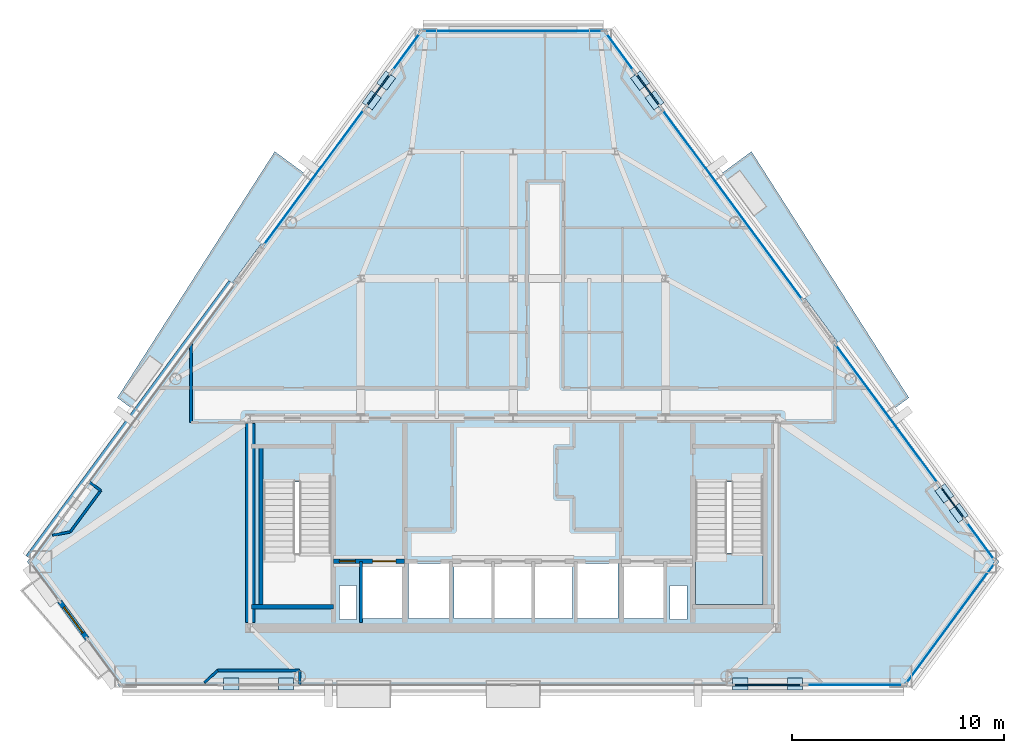
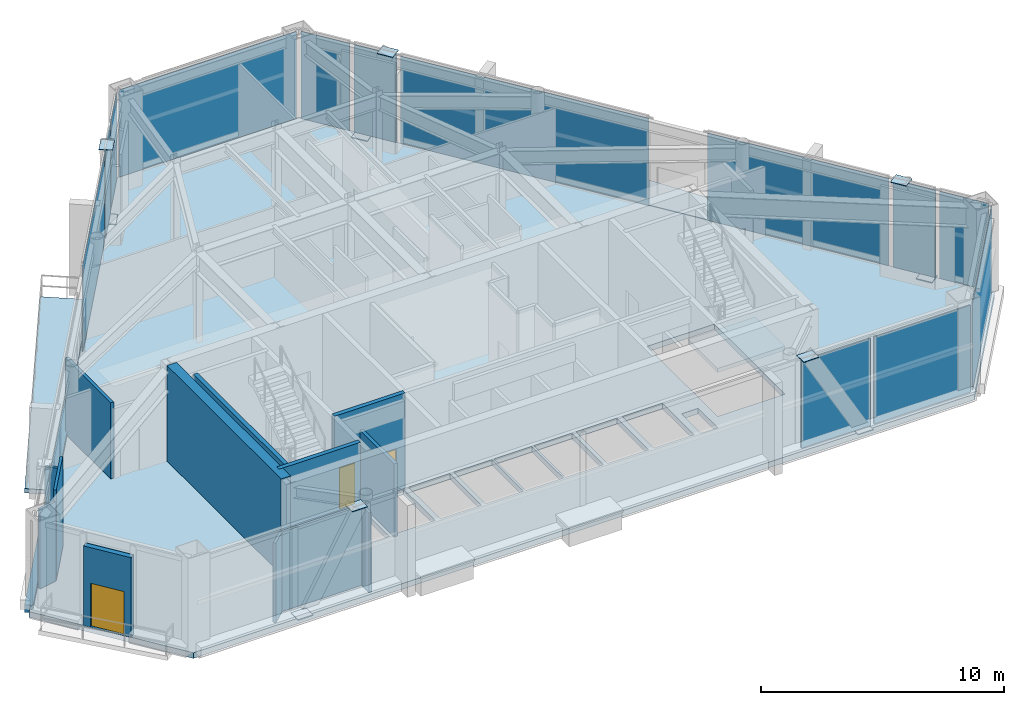
# One storey, part 5 of 10: 23 plates, 14 walls, 4 slabs, 3 doors, 3 openings, 14 elements without a shape of their own.
"""IFC4 building model written with IfcOpenShell, lengths in metres."""

from ifc_helpers import new_model, si_unit, direction, frame, frame_2d, origin, origin_2d, place, context, subcontext, project, spatial, polyline, rectangle, outline, extrude, source, transform, mapped, material, layer, layer_set, type_object, type_shapes, element, fill, aggregate, save


model = new_model("IFC4")

# Units and contexts
model_context = context("Model", 3, precision=1e-05, world=origin(), true_north=direction((0.0, 1.0)))
body_context = subcontext(model_context, "Body", "Model", "MODEL_VIEW")
ifc_project = project(units=[si_unit("LENGTHUNIT", "METRE"), si_unit("AREAUNIT", "SQUARE_METRE"), si_unit("VOLUMEUNIT", "CUBIC_METRE"), si_unit("PLANEANGLEUNIT", "RADIAN"), si_unit("MASSUNIT", "GRAM", prefix="KILO")], contexts=[model_context])

# Site, building, storey
site_placement = place(None, origin())
site = spatial("IfcSite", under=ifc_project, at=site_placement, CompositionType="ELEMENT")
building_placement = place(site_placement, origin())
building = spatial("IfcBuilding", under=site, at=building_placement, Name="Talgorran Terracotta Tower", CompositionType="ELEMENT")
storey_placement = place(building_placement, frame((0.0, 0.0, 173.699951171875)))
storey = spatial("IfcBuildingStorey", under=building, at=storey_placement, Name="L45", CompositionType="ELEMENT", Elevation=173.699951171875)

# Plates
ifc_material_1 = material(Name="Steel Grade 350 (350L0)", Category="steel")
ifc_layer_1 = layer(ifc_material_1, 0.031982421875, Name="PL_CAP_MN07")
ifc_layer_set_1 = layer_set([ifc_layer_1], Name="Steel Grade 350 (350L0)")
plate_type_1 = type_object("IfcPlateType", Name="PL_CAP_MN07", PredefinedType="USERDEFINED", material=ifc_layer_set_1)
for number, where, z_axis, x_axis, name in (
    (1, (-13.307373046875, -16.74560546875, -0.005859375), (0.0, 0.0, 1.0), (1.0, 0.0, 0.0), "L45 Diagonal Frame End Cap SWF Bot"),
    (2, (-10.719970703125, -16.74560546875, 4.52392578125), (0.0, 0.0, 1.0), (1.0, 0.0, 0.0), "L45 Diagonal Frame End Cap SWF Top"),
    (3, (13.307373046875, -16.74560546875, -0.005859375), (0.0, 0.0, 1.0), (-1.0, 0.0, 0.0), "L45 Diagonal Frame End Cap SEF Bot"),
    (4, (10.719970703125, -16.74560546875, 4.52392578125), (0.0, 0.0, 1.0), (-1.0, 0.0, 0.0), "L45 Diagonal Frame End Cap SEF Top"),
    (5, (21.044189453125, -8.6689453125, -0.005859375), (0.0, 0.0, 1.0), (-0.593418886604, 0.804893797356, 0.0), "L45 Diagonal Frame End Cap NEL Bot"),
    (6, (20.36181640625, -7.743408203125, 4.52392578125), (0.0, 0.0, 1.0), (-0.593418886604, 0.804893797356, 0.0), "L45 Diagonal Frame End Cap NEL Top"),
    (7, (5.992919921875, 11.7421875, -0.005859375), (0.0, 0.0, 1.0), (0.593418886604, -0.804893797356, 0.0), "L45 Diagonal Frame End Cap NEU Bot"),
    (8, (6.67529296875, 10.81689453125, 4.52392578125), (0.0, 0.0, 1.0), (0.593418886604, -0.804893797356, 0.0), "L45 Diagonal Frame End Cap NEU Top"),
    (9, (-5.992919921875, 11.7421875, -0.005859375), (0.0, 0.0, 1.0), (-0.593418886604, -0.804893797356, 0.0), "L45 Diagonal Frame End Cap NWU Bot"),
    (10, (-6.67529296875, 10.81689453125, 4.52392578125), (0.0, 0.0, 1.0), (-0.593418886604, -0.804893797356, 0.0), "L45 Diagonal Frame End Cap NWU Top"),
):
    element("IfcPlate", number, at=place(storey_placement, frame(where, z_axis=z_axis, x_axis=x_axis)), inside=storey, type_object=plate_type_1, Name=name, ObjectType="CAP PLATE", PredefinedType="USERDEFINED", context=body_context, shape_type="SweptSolid", body=[
        extrude(rectangle(XDim=0.719970703125, YDim=0.580078125, at=origin_2d()), origin(), (0.0, 0.0, 1.0), 0.031982421875),
    ])

# Slabs
ifc_material_2 = material(Name="Concrete C40/50", Category="concrete")
ifc_layer_2 = layer(ifc_material_2, 0.219970703125, Name="SL_BALCONY_220")
ifc_layer_set_2 = layer_set([ifc_layer_2], Name="Concrete C40/50")
slab_type_1 = type_object("IfcSlabType", Name="SL_BALCONY_220", PredefinedType="FLOOR", material=ifc_layer_set_2)
slab_1_placement = place(storey_placement, frame((0.0, 0.0, -0.219970703125)))
element("IfcSlab", 11, at=slab_1_placement, inside=storey, type_object=slab_type_1, Name="L45 Outdoor Wave Balcony BAL-NE", PredefinedType="FLOOR", context=body_context, shape_type="SweptSolid", body=[
    extrude(outline(polyline([(9.58642578125, 7.163818359375), (17.75439453125, -3.91259765625), (18.681884765625, -3.228759765625), (11.250732421875, 8.39111328125), (9.58642578125, 7.163818359375)])), origin(), (0.0, 0.0, 1.0), 0.219970703125),
])
slab_2_placement = place(storey_placement, frame((0.0, 0.0, -0.219970703125)))
element("IfcSlab", 12, at=slab_2_placement, inside=storey, type_object=slab_type_1, Name="L45 Outdoor Wave Balcony BAL-NW", PredefinedType="FLOOR", context=body_context, shape_type="SweptSolid", body=[
    extrude(outline(polyline([(-17.75439453125, -3.91259765625), (-9.58642578125, 7.163818359375), (-11.250732421875, 8.39111328125), (-18.681884765625, -3.228759765625), (-17.75439453125, -3.91259765625)])), origin(), (0.0, 0.0, 1.0), 0.219970703125),
])
ifc_layer_3 = layer(ifc_material_2, 0.280029296875, Name="SL_HALL_280")
ifc_layer_set_3 = layer_set([ifc_layer_3], Name="Concrete C40/50")
slab_type_2 = type_object("IfcSlabType", Name="SL_HALL_280", PredefinedType="FLOOR", material=ifc_layer_set_3)
slab_3_placement = place(storey_placement, frame((0.0, 0.0, -0.280029296875)))
element("IfcSlab", 13, at=slab_3_placement, inside=storey, type_object=slab_type_2, Name="Storey L45 Structural Floor Slab", PredefinedType="FLOOR", context=body_context, shape_type="SweptSolid", body=[
    extrude(outline(polyline([(-22.93994140625, -10.97021484375), (-18.563232421875, -16.905517578125), (18.563232421875, -16.905517578125), (22.93994140625, -10.97021484375), (4.376708984375, 14.20361328125), (-4.376708984375, 14.20361328125), (-22.93994140625, -10.97021484375)]), holes=[polyline([(-11.800048828125, -7.199951171875), (-11.800048828125, -13.0), (-8.60009765625, -13.0), (-8.60009765625, -7.199951171875), (-11.800048828125, -7.199951171875)]), polyline([(8.60009765625, -7.199951171875), (8.60009765625, -13.0), (11.800048828125, -13.0), (11.800048828125, -7.199951171875), (8.60009765625, -7.199951171875)]), polyline([(-7.10009765625, -13.64990234375), (-5.199951171875, -13.64990234375), (-5.199951171875, -11.050048828125), (-7.10009765625, -11.050048828125), (-7.10009765625, -13.64990234375)]), polyline([(5.199951171875, -13.64990234375), (7.10009765625, -13.64990234375), (7.10009765625, -11.050048828125), (5.199951171875, -11.050048828125), (5.199951171875, -13.64990234375)]), polyline([(3.0, -13.64990234375), (4.949951171875, -13.64990234375), (4.949951171875, -11.050048828125), (3.0, -11.050048828125), (3.0, -13.64990234375)]), polyline([(-4.949951171875, -13.64990234375), (-3.0, -13.64990234375), (-3.0, -11.050048828125), (-4.949951171875, -11.050048828125), (-4.949951171875, -13.64990234375)]), polyline([(-2.800048828125, -13.64990234375), (-1.0, -13.64990234375), (-1.0, -11.050048828125), (-2.800048828125, -11.050048828125), (-2.800048828125, -13.64990234375)]), polyline([(-0.89990234375, -13.64990234375), (0.89990234375, -13.64990234375), (0.89990234375, -11.050048828125), (-0.89990234375, -11.050048828125), (-0.89990234375, -13.64990234375)]), polyline([(1.0, -13.64990234375), (2.800048828125, -13.64990234375), (2.800048828125, -11.050048828125), (1.0, -11.050048828125), (1.0, -13.64990234375)]), polyline([(-8.199951171875, -13.699951171875), (-7.39990234375, -13.699951171875), (-7.39990234375, -12.10009765625), (-8.199951171875, -12.10009765625), (-8.199951171875, -13.699951171875)]), polyline([(7.39990234375, -13.699951171875), (8.199951171875, -13.699951171875), (8.199951171875, -12.10009765625), (7.39990234375, -12.10009765625), (7.39990234375, -13.699951171875)])]), origin(), (0.0, 0.0, 1.0), 0.280029296875),
])

# Stair, slab
stair_type = type_object("IfcStairType", Name="ST_FIRE_SCISSOR", PredefinedType="HALF_TURN_STAIR", material=ifc_material_2)
stair_placement = place(storey_placement, origin())
stair = element("IfcStair", 14, at=stair_placement, inside=storey, type_object=stair_type, Name="L45 East Protected Fire Stair ST-02", PredefinedType="HALF_TURN_STAIR")
ifc_layer_4 = layer(ifc_material_2, 0.199951171875, Name="SL_LANDING_200")
ifc_layer_set_4 = layer_set([ifc_layer_4], Name="Concrete C40/50")
slab_type_3 = type_object("IfcSlabType", Name="SL_LANDING_200", PredefinedType="LANDING", material=ifc_layer_set_4)
slab_4_placement = place(storey_placement, frame((0.0, 0.0, 2.199951171875)))
slab_4 = element("IfcSlab", 15, at=slab_4_placement, type_object=slab_type_3, Name="ST-02 landing 1", PredefinedType="LANDING", context=body_context, shape_type="SweptSolid", body=[
    extrude(outline(polyline([(8.60009765625, -10.56005859375), (8.60009765625, -13.0), (11.800048828125, -13.0), (11.800048828125, -10.56005859375), (8.60009765625, -10.56005859375)])), origin(), (0.0, 0.0, 1.0), 0.2001953125),
])
aggregate(stair, [slab_4])

# Curtain wall, plate
ifc_material_3 = material(Name="Structural Laminated Low-Iron")
ifc_layer_5 = layer(ifc_material_3, 0.239990234375, Name="CW_SYS5_SKY_OBS")
ifc_layer_set_5 = layer_set([ifc_layer_5], Name="Structural Laminated Low-Iron")
curtain_wall_type = type_object("IfcCurtainWallType", Name="CW_SYS5_SKY_OBS", PredefinedType="NOTDEFINED", material=ifc_layer_set_5)
curtain_wall_1_placement = place(storey_placement, origin())
curtain_wall_1 = element("IfcCurtainWall", 16, at=curtain_wall_1_placement, inside=storey, type_object=curtain_wall_type, Name="CW-L45-F1E", PredefinedType="NOTDEFINED")
ifc_material_4 = material(Name="Low-Iron Structural Vision Glass", Category="glass")
ifc_layer_6 = layer(ifc_material_4, 0.035888671875, Name="PLT_LOWIRON_36")
ifc_layer_set_6 = layer_set([ifc_layer_6], Name="Low-Iron Structural Vision Glass")
plate_type_2 = type_object("IfcPlateType", Name="PLT_LOWIRON_36", PredefinedType="CURTAIN_PANEL", material=ifc_layer_set_6)
shared_shape_1 = source(origin(), body_context, "Body", "SweptSolid", [
    extrude(rectangle(XDim=4.57275390625, YDim=0.035888671875, at=origin_2d()), origin(), (0.0, 0.0, 1.0), 4.3701171875),
])
plate_1_placement = place(storey_placement, frame((16.12646484375, -16.78564453125, 0.090087890625), z_axis=(0.0, 0.0, 1.0), x_axis=(1.0, 0.0, 0.0)))
plate_1 = element("IfcPlate", 17, at=plate_1_placement, type_object=plate_type_2, Name="CW-L45-1E panel 1.1", PredefinedType="CURTAIN_PANEL", context=body_context, shape_type="MappedRepresentation", body=[
    mapped(shared_shape_1, transform((0.0, 0.0, 0.0), scale=1.0)),
])
aggregate(curtain_wall_1, [plate_1])

curtain_wall_2_placement = place(storey_placement, origin())
curtain_wall_2 = element("IfcCurtainWall", 18, at=curtain_wall_2_placement, inside=storey, type_object=curtain_wall_type, Name="CW-L45-F1D", PredefinedType="NOTDEFINED")
ifc_material_5 = material(Name="Terracotta Insulated Spandrel", Category="masonry")
ifc_layer_7 = layer(ifc_material_5, 0.06494140625, Name="PLT_SPANDREL_TERRA")
ifc_layer_set_7 = layer_set([ifc_layer_7], Name="Terracotta Insulated Spandrel")
plate_type_3 = type_object("IfcPlateType", Name="PLT_SPANDREL_TERRA", PredefinedType="SHEET", material=ifc_layer_set_7)
shared_shape_2 = source(origin(), body_context, "Body", "SweptSolid", [
    extrude(rectangle(XDim=3.272705078125, YDim=0.06494140625, at=origin_2d()), origin(), (0.0, 0.0, 1.0), 4.3701171875),
])
plate_2_placement = place(storey_placement, frame((12.013671875, -16.78564453125, 0.090087890625), z_axis=(0.0, 0.0, 1.0), x_axis=(1.0, 0.0, 0.0)))
plate_2 = element("IfcPlate", 19, at=plate_2_placement, type_object=plate_type_3, Name="CW-L45-1D panel 1.1", PredefinedType="CURTAIN_PANEL", context=body_context, shape_type="MappedRepresentation", body=[
    mapped(shared_shape_2, transform((0.0, 0.0, 0.0), scale=1.0)),
])
aggregate(curtain_wall_2, [plate_2])

curtain_wall_3_placement = place(storey_placement, origin())
curtain_wall_3 = element("IfcCurtainWall", 20, at=curtain_wall_3_placement, inside=storey, type_object=curtain_wall_type, Name="CW-L45-F2", PredefinedType="NOTDEFINED")
shared_shape_3 = source(origin(), body_context, "Body", "SweptSolid", [
    extrude(rectangle(XDim=7.04541015625, YDim=0.035888671875, at=origin_2d()), origin(), (0.0, 0.0, 1.0), 4.3701171875),
])
plate_3_placement = place(storey_placement, frame((20.646728515625, -13.8779296875, 0.090087890625), z_axis=(0.0, 0.0, 1.0), x_axis=(0.593489814714, 0.804841499819, 0.0)))
plate_3 = element("IfcPlate", 21, at=plate_3_placement, type_object=plate_type_2, Name="CW-L45-2 panel 1.1", PredefinedType="CURTAIN_PANEL", context=body_context, shape_type="MappedRepresentation", body=[
    mapped(shared_shape_3, transform((0.0, 0.0, 0.0), scale=1.0)),
])
aggregate(curtain_wall_3, [plate_3])

curtain_wall_4_placement = place(storey_placement, origin())
curtain_wall_4 = element("IfcCurtainWall", 22, at=curtain_wall_4_placement, inside=storey, type_object=curtain_wall_type, Name="CW-L45-F40", PredefinedType="NOTDEFINED")
shared_shape_4 = source(origin(), body_context, "Body", "SweptSolid", [
    extrude(rectangle(XDim=2.193603515625, YDim=0.035888671875, at=origin_2d()), origin(), (0.0, 0.0, 1.0), 4.3701171875),
])
plate_4_placement = place(storey_placement, frame((22.062744140625, -9.98291015625, 0.090087890625), z_axis=(0.0, 0.0, 1.0), x_axis=(-0.593509400177, 0.804827057138, 0.0)))
plate_4 = element("IfcPlate", 23, at=plate_4_placement, type_object=plate_type_2, Name="CW-L45-40 panel 1.1", PredefinedType="CURTAIN_PANEL", context=body_context, shape_type="MappedRepresentation", body=[
    mapped(shared_shape_4, transform((0.0, 0.0, 0.0), scale=1.0)),
])
aggregate(curtain_wall_4, [plate_4])

curtain_wall_5_placement = place(storey_placement, origin())
curtain_wall_5 = element("IfcCurtainWall", 24, at=curtain_wall_5_placement, inside=storey, type_object=curtain_wall_type, Name="CW-L45-F40B", PredefinedType="NOTDEFINED")
shared_shape_5 = source(origin(), body_context, "Body", "SweptSolid", [
    extrude(rectangle(XDim=1.900146484375, YDim=0.06494140625, at=origin_2d()), origin(), (0.0, 0.0, 1.0), 4.3701171875),
])
type_shapes(plate_type_3, [shared_shape_2, shared_shape_5])
plate_5_placement = place(storey_placement, frame((20.735107421875, -8.1826171875, 0.090087890625), z_axis=(0.0, 0.0, 1.0), x_axis=(-0.593504001722, 0.804831038132, 0.0)))
plate_5 = element("IfcPlate", 25, at=plate_5_placement, type_object=plate_type_3, Name="CW-L45-40B panel 1.1", PredefinedType="CURTAIN_PANEL", context=body_context, shape_type="MappedRepresentation", body=[
    mapped(shared_shape_5, transform((0.0, 0.0, 0.0), scale=1.0)),
])
aggregate(curtain_wall_5, [plate_5])

curtain_wall_6_placement = place(storey_placement, origin())
curtain_wall_6 = element("IfcCurtainWall", 26, at=curtain_wall_6_placement, inside=storey, type_object=curtain_wall_type, Name="CW-L45-F41B", PredefinedType="NOTDEFINED")
plate_6_placement = place(storey_placement, frame((6.3662109375, 11.30322265625, 0.090087890625), z_axis=(0.0, 0.0, 1.0), x_axis=(-0.593504001722, 0.804831038132, 0.0)))
plate_6 = element("IfcPlate", 27, at=plate_6_placement, type_object=plate_type_3, Name="CW-L45-41B panel 1.1", PredefinedType="CURTAIN_PANEL", context=body_context, shape_type="MappedRepresentation", body=[
    mapped(shared_shape_5, transform((0.0, 0.0, 0.0), scale=1.0)),
])
aggregate(curtain_wall_6, [plate_6])

curtain_wall_7_placement = place(storey_placement, origin())
curtain_wall_7 = element("IfcCurtainWall", 28, at=curtain_wall_7_placement, inside=storey, type_object=curtain_wall_type, Name="CW-L45-F60B", PredefinedType="NOTDEFINED")
plate_7_placement = place(storey_placement, frame((-6.3662109375, 11.30322265625, 0.090087890625), z_axis=(0.0, 0.0, 1.0), x_axis=(-0.593504001722, -0.804831038132, 0.0)))
plate_7 = element("IfcPlate", 29, at=plate_7_placement, type_object=plate_type_3, Name="CW-L45-60B panel 1.1", PredefinedType="CURTAIN_PANEL", context=body_context, shape_type="MappedRepresentation", body=[
    mapped(shared_shape_5, transform((0.0, 0.0, 0.0), scale=1.0)),
])
aggregate(curtain_wall_7, [plate_7])

curtain_wall_8_placement = place(storey_placement, origin())
curtain_wall_8 = element("IfcCurtainWall", 30, at=curtain_wall_8_placement, inside=storey, type_object=curtain_wall_type, Name="CW-L45-F40C", PredefinedType="NOTDEFINED")
shared_shape_6 = source(origin(), body_context, "Body", "SweptSolid", [
    extrude(rectangle(XDim=8.139892578125, YDim=0.035888671875, at=origin_2d()), origin(), (0.0, 0.0, 1.0), 4.3701171875),
])
plate_8_placement = place(storey_placement, frame((17.64306640625, -3.9892578125, 0.090087890625), z_axis=(0.0, 0.0, 1.0), x_axis=(-0.593497477231, 0.804835849426, 0.0)))
plate_8 = element("IfcPlate", 31, at=plate_8_placement, type_object=plate_type_2, Name="CW-L45-40C panel 1.1", PredefinedType="CURTAIN_PANEL", context=body_context, shape_type="MappedRepresentation", body=[
    mapped(shared_shape_6, transform((0.0, 0.0, 0.0), scale=1.0)),
])
aggregate(curtain_wall_8, [plate_8])

curtain_wall_9_placement = place(storey_placement, origin())
curtain_wall_9 = element("IfcCurtainWall", 32, at=curtain_wall_9_placement, inside=storey, type_object=curtain_wall_type, Name="CW-L45-F41", PredefinedType="NOTDEFINED")
shared_shape_7 = source(origin(), body_context, "Body", "SweptSolid", [
    extrude(rectangle(XDim=11.150634765625, YDim=0.035888671875, at=origin_2d()), origin(), (0.0, 0.0, 1.0), 4.3701171875),
])
plate_9_placement = place(storey_placement, frame((10.351806640625, 5.8984375, 0.090087890625), z_axis=(0.0, 0.0, 1.0), x_axis=(-0.59349312604, 0.804839058038, 0.0)))
plate_9 = element("IfcPlate", 33, at=plate_9_placement, type_object=plate_type_2, Name="CW-L45-41 panel 1.1", PredefinedType="CURTAIN_PANEL", context=body_context, shape_type="MappedRepresentation", body=[
    mapped(shared_shape_7, transform((0.0, 0.0, 0.0), scale=1.0)),
])
aggregate(curtain_wall_9, [plate_9])

curtain_wall_10_placement = place(storey_placement, origin())
curtain_wall_10 = element("IfcCurtainWall", 34, at=curtain_wall_10_placement, inside=storey, type_object=curtain_wall_type, Name="CW-L45-F41C", PredefinedType="NOTDEFINED")
shared_shape_8 = source(origin(), body_context, "Body", "SweptSolid", [
    extrude(rectangle(XDim=2.1845703125, YDim=0.035888671875, at=origin_2d()), origin(), (0.0, 0.0, 1.0), 4.3701171875),
])
plate_10_placement = place(storey_placement, frame((5.04150390625, 13.099853515625, 0.090087890625), z_axis=(0.0, 0.0, 1.0), x_axis=(-0.593497629838, 0.804835736891, 0.0)))
plate_10 = element("IfcPlate", 35, at=plate_10_placement, type_object=plate_type_2, Name="CW-L45-41C panel 1.1", PredefinedType="CURTAIN_PANEL", context=body_context, shape_type="MappedRepresentation", body=[
    mapped(shared_shape_8, transform((0.0, 0.0, 0.0), scale=1.0)),
])
aggregate(curtain_wall_10, [plate_10])

curtain_wall_11_placement = place(storey_placement, origin())
curtain_wall_11 = element("IfcCurtainWall", 36, at=curtain_wall_11_placement, inside=storey, type_object=curtain_wall_type, Name="CW-L45-F60", PredefinedType="NOTDEFINED")
plate_11_placement = place(storey_placement, frame((-5.04150390625, 13.099853515625, 0.090087890625), z_axis=(0.0, 0.0, 1.0), x_axis=(-0.593497629838, -0.804835736891, 0.0)))
plate_11 = element("IfcPlate", 37, at=plate_11_placement, type_object=plate_type_2, Name="CW-L45-60 panel 1.1", PredefinedType="CURTAIN_PANEL", context=body_context, shape_type="MappedRepresentation", body=[
    mapped(shared_shape_8, transform((0.0, 0.0, 0.0), scale=1.0)),
])
aggregate(curtain_wall_11, [plate_11])

curtain_wall_12_placement = place(storey_placement, origin())
curtain_wall_12 = element("IfcCurtainWall", 38, at=curtain_wall_12_placement, inside=storey, type_object=curtain_wall_type, Name="CW-L45-F4", PredefinedType="NOTDEFINED")
shared_shape_9 = source(origin(), body_context, "Body", "SweptSolid", [
    extrude(rectangle(XDim=8.4521484375, YDim=0.035888671875, at=origin_2d()), origin(), (0.0, 0.0, 1.0), 4.3701171875),
])
plate_12_placement = place(storey_placement, frame((0.0, 14.08349609375, 0.090087890625), z_axis=(0.0, 0.0, 1.0), x_axis=(-1.0, 0.0, 0.0)))
plate_12 = element("IfcPlate", 39, at=plate_12_placement, type_object=plate_type_2, Name="CW-L45-4 panel 1.1", PredefinedType="CURTAIN_PANEL", context=body_context, shape_type="MappedRepresentation", body=[
    mapped(shared_shape_9, transform((0.0, 0.0, 0.0), scale=1.0)),
])
aggregate(curtain_wall_12, [plate_12])

curtain_wall_13_placement = place(storey_placement, origin())
curtain_wall_13 = element("IfcCurtainWall", 40, at=curtain_wall_13_placement, inside=storey, type_object=curtain_wall_type, Name="CW-L45-F60C", PredefinedType="NOTDEFINED")
shared_shape_10 = source(origin(), body_context, "Body", "SweptSolid", [
    extrude(rectangle(XDim=7.9599609375, YDim=0.035888671875, at=origin_2d()), origin(), (0.0, 0.0, 1.0), 4.3701171875),
])
type_shapes(plate_type_2, [shared_shape_1, shared_shape_3, shared_shape_4, shared_shape_6, shared_shape_7, shared_shape_8, shared_shape_9, shared_shape_10])
plate_13_placement = place(storey_placement, frame((-9.405029296875, 7.182373046875, 0.090087890625), z_axis=(0.0, 0.0, 1.0), x_axis=(-0.593497783723, -0.804835623414, 0.0)))
plate_13 = element("IfcPlate", 41, at=plate_13_placement, type_object=plate_type_2, Name="CW-L45-60C panel 1.1", PredefinedType="CURTAIN_PANEL", context=body_context, shape_type="MappedRepresentation", body=[
    mapped(shared_shape_10, transform((0.0, 0.0, 0.0), scale=1.0)),
])
aggregate(curtain_wall_13, [plate_13])

# Wall, opening, door
ifc_layer_8 = layer(ifc_material_2, 0.239990234375, Name="WT_BALCONY_SPAND")
ifc_layer_set_8 = layer_set([ifc_layer_8], Name="Concrete C40/50")
wall_type_1 = type_object("IfcWallType", Name="WT_BALCONY_SPAND", PredefinedType="STANDARD", material=ifc_layer_set_8)
wall_1_placement = place(storey_placement, frame((-21.395751953125, -12.8623046875, -0.014892578125), z_axis=(0.0, 0.0, 1.0), x_axis=(0.593463631131, -0.804860806926, 0.0)))
wall_1 = element("IfcWall", 42, at=wall_1_placement, inside=storey, type_object=wall_type_1, Name="WL-L45-BALP-BAL-SW", PredefinedType="STANDARD", context=body_context, shape_type="SweptSolid", body=[
    extrude(rectangle(XDim=2.139892578125, YDim=0.239990234375, at=frame_2d((1.06982421875, 0.0))), origin(), (0.0, 0.0, 1.0), 4.0068359375),
])
opening_1_placement = place(wall_1_placement, frame((0.320068359375, 0.0, 0.014892578125)))
opening_1 = element("IfcOpeningElement", 43, at=opening_1_placement, cuts=wall_1, Name="Opening D-BAL-L45-3", PredefinedType="OPENING", context=body_context, shape_type="SweptSolid", body=[
    extrude(rectangle(XDim=1.506, YDim=2.203951171875, at=frame_2d((0.75, 1.10205078125))), frame((0.0, 0.1298828125, 0.0), z_axis=(0.0, -1.0, 0.0), x_axis=(1.0, 0.0, 0.0)), (0.0, 0.0, 1.0), 0.260009765625),
])
ifc_material_6 = material(Name="Thermally Broken Aluminium", Category="aluminium")
door_type_1 = type_object("IfcDoorType", Name="DT_BALC_1500", OperationType="SLIDING_TO_RIGHT", PredefinedType="DOOR", material=ifc_material_6)
door_1_placement = place(opening_1_placement, origin())
door_1 = element("IfcDoor", 44, at=door_1_placement, inside=storey, type_object=door_type_1, Name="DR-L45-BAL-BAL-SW", OperationType="SLIDING_TO_RIGHT", OverallHeight=2.199951171875, OverallWidth=1.5, PredefinedType="DOOR", context=body_context, shape_type="SweptSolid", body=[
    extrude(rectangle(XDim=1.5, YDim=2.199951171875, at=frame_2d((0.75, 1.10009765625))), frame((0.0, 0.02490234375, 0.0), z_axis=(0.0, -1.0, 0.0), x_axis=(1.0, 0.0, 0.0)), (0.0, 0.0, 1.0), 0.050048828125),
])
fill(opening_1, door_1)

# Walls
ifc_material_7 = material(Name="Concrete C50/60", Category="concrete")
ifc_layer_9 = layer(ifc_material_7, 0.199951171875, Name="WT_CORE_200")
ifc_layer_set_9 = layer_set([ifc_layer_9], Name="Concrete C50/60")
wall_type_2 = type_object("IfcWallType", Name="WT_CORE_200", PredefinedType="SOLIDWALL", material=ifc_layer_set_9)
wall_2_placement = place(storey_placement, frame((-12.35009765625, -13.10009765625, 0.0), z_axis=(0.0, 0.0, 1.0), x_axis=(1.0, 0.0, 0.0)))
element("IfcWall", 45, at=wall_2_placement, inside=storey, type_object=wall_type_2, Name="WL-L45-CW-ST1-S", PredefinedType="SOLIDWALL", context=body_context, shape_type="SweptSolid", body=[
    extrude(rectangle(XDim=3.8701171875, YDim=0.199951171875, at=frame_2d((1.93505859375, 0.0))), origin(), (0.0, 0.0, 1.0), 4.800048828125),
])
wall_3_placement = place(storey_placement, frame((-11.89990234375, -13.10009765625, 0.0), z_axis=(0.0, 0.0, 1.0), x_axis=(0.0, 1.0, 0.0)))
element("IfcWall", 46, at=wall_3_placement, inside=storey, type_object=wall_type_2, Name="WL-L45-CW-ST1-W", PredefinedType="SOLIDWALL", context=body_context, shape_type="SweptSolid", body=[
    extrude(rectangle(XDim=7.580078125, YDim=0.199951171875, at=frame_2d((3.7900390625, 0.0))), origin(), (0.0, 0.0, 1.0), 4.800048828125),
])

# Wall, openings, doors
wall_4_placement = place(storey_placement, frame((-8.47998046875, -10.949951171875, 0.0), z_axis=(0.0, 0.0, 1.0), x_axis=(1.0, 0.0, 0.0)))
wall_4 = element("IfcWall", 47, at=wall_4_placement, inside=storey, type_object=wall_type_2, Name="WL-L45-CW-H-SBW", PredefinedType="SOLIDWALL", context=body_context, shape_type="SweptSolid", body=[
    extrude(rectangle(XDim=3.35986328125, YDim=0.199951171875, at=frame_2d((1.679931640625, 0.0))), origin(), (0.0, 0.0, 1.0), 4.800048828125),
])
opening_2_placement = place(wall_4_placement, frame((0.280029296875, 0.0, 0.0)))
opening_2 = element("IfcOpeningElement", 48, at=opening_2_placement, cuts=wall_4, Name="Opening DR-RSW", PredefinedType="OPENING", context=body_context, shape_type="SweptSolid", body=[
    extrude(rectangle(XDim=0.756, YDim=2.054048828125, at=frame_2d((0.375, 1.027099609375))), frame((0.0, 0.10986328125, 0.0), z_axis=(0.0, -1.0, 0.0), x_axis=(1.0, 0.0, 0.0)), (0.0, 0.0, 1.0), 0.219970703125),
])
opening_3_placement = place(wall_4_placement, frame((1.85009765625, 0.0, 0.0)))
opening_3 = element("IfcOpeningElement", 49, at=opening_3_placement, cuts=wall_4, Name="Opening LD-FFL1", PredefinedType="OPENING", context=body_context, shape_type="SweptSolid", body=[
    extrude(rectangle(XDim=1.10609765625, YDim=2.10409765625, at=frame_2d((0.550048828125, 1.052001953125))), frame((0.0, 0.10986328125, 0.0), z_axis=(0.0, -1.0, 0.0), x_axis=(1.0, 0.0, 0.0)), (0.0, 0.0, 1.0), 0.219970703125),
])
ifc_material_8 = material(Name="Brushed Stainless Steel Grade 304", Category="steel")
door_type_2 = type_object("IfcDoorType", Name="DT_LIFT_LD1100", OperationType="DOUBLE_DOOR_SLIDING", PredefinedType="DOOR", material=ifc_material_8)
door_2_placement = place(opening_3_placement, origin())
door_2 = element("IfcDoor", 50, at=door_2_placement, inside=storey, type_object=door_type_2, Name="L45 Lift Landing Door LD-FFL1", OperationType="DOUBLE_DOOR_SLIDING", OverallHeight=2.10009765625, OverallWidth=1.10009765625, PredefinedType="DOOR", context=body_context, shape_type="SweptSolid", body=[
    extrude(rectangle(XDim=1.10009765625, YDim=2.10009765625, at=frame_2d((0.550048828125, 1.050048828125))), frame((0.0, 0.02490234375, 0.0), z_axis=(0.0, -1.0, 0.0), x_axis=(1.0, 0.0, 0.0)), (0.0, 0.0, 1.0), 0.050048828125),
])
fill(opening_3, door_2)
ifc_material_9 = material(Name="Fire-Rated Pressed Steel", Category="steel")
door_type_3 = type_object("IfcDoorType", Name="DT_RISER_750", OperationType="NOTDEFINED", PredefinedType="DOOR", material=ifc_material_9)
door_3_placement = place(opening_2_placement, origin())
door_3 = element("IfcDoor", 51, at=door_3_placement, inside=storey, type_object=door_type_3, Name="DR-RSW", OperationType="SINGLE_SWING_LEFT", OverallHeight=2.050048828125, OverallWidth=0.75, PredefinedType="DOOR", context=body_context, shape_type="SweptSolid", body=[
    extrude(rectangle(XDim=0.75, YDim=2.050048828125, at=frame_2d((0.375, 1.02490234375))), frame((0.0, 0.02490234375, 0.0), z_axis=(0.0, -1.0, 0.0), x_axis=(1.0, 0.0, 0.0)), (0.0, 0.0, 1.0), 0.050048828125),
])
fill(opening_2, door_3)

# Walls
ifc_material_10 = material(Name="Concrete C65/80", Category="concrete")
ifc_layer_10 = layer(ifc_material_10, 0.449951171875, Name="WT_CORE_EXT")
ifc_layer_set_10 = layer_set([ifc_layer_10], Name="Concrete C65/80")
wall_type_3 = type_object("IfcWallType", Name="WT_CORE_EXT", PredefinedType="SHEAR", material=ifc_layer_set_10)
wall_5_placement = place(storey_placement, frame((-12.39990234375, -13.85009765625, 0.0), z_axis=(0.0, 0.0, 1.0), x_axis=(0.0, 1.0, 0.0)))
element("IfcWall", 52, at=wall_5_placement, inside=storey, type_object=wall_type_3, Name="WL-L45-CW-OUT-W", PredefinedType="SHEAR", context=body_context, shape_type="SweptSolid", body=[
    extrude(rectangle(XDim=9.400146484375, YDim=0.449951171875, at=frame_2d((4.7001953125, 0.0))), origin(), (0.0, 0.0, 1.0), 4.800048828125),
])
ifc_material_11 = material(Name="Fire-Rated Steel Stud Plasterboard", Category="steel")
ifc_layer_11 = layer(ifc_material_11, 0.14990234375, Name="WT_FIRE_150")
ifc_layer_set_11 = layer_set([ifc_layer_11], Name="Fire-Rated Steel Stud Plasterboard")
wall_type_4 = type_object("IfcWallType", Name="WT_FIRE_150", PredefinedType="PARTITIONING", material=ifc_layer_set_11)
wall_6_placement = place(storey_placement, frame((-15.199951171875, -4.39990234375, 0.0), z_axis=(0.0, 0.0, 1.0), x_axis=(0.0, 1.0, 0.0)))
element("IfcWall", 53, at=wall_6_placement, inside=storey, type_object=wall_type_4, Name="WL-L45-W-L45-R01", PredefinedType="PARTITIONING", context=body_context, shape_type="SweptSolid", body=[
    extrude(rectangle(XDim=3.7236328125, YDim=0.14990234375, at=frame_2d((1.86181640625, 0.0))), origin(), (0.0, 0.0, 1.0), 3.824951171875),
])
ifc_layer_12 = layer(ifc_material_2, 0.219970703125, Name="WT_PARAPET_RC")
ifc_layer_set_12 = layer_set([ifc_layer_12], Name="Concrete C40/50")
wall_type_5 = type_object("IfcWallType", Name="WT_PARAPET_RC", PredefinedType="PARAPET", material=ifc_layer_set_12)
wall_7_placement = place(storey_placement, frame((-13.27880859375, 2.198974609375, -0.199951171875), z_axis=(0.0, 0.0, 1.0), x_axis=(-0.593480482425, -0.804848381362, 0.0)))
element("IfcWall", 54, at=wall_7_placement, inside=storey, type_object=wall_type_5, Name="L45 Striped Portal Precast Cornice F61", PredefinedType="PARAPET", context=body_context, shape_type="SweptSolid", body=[
    extrude(rectangle(XDim=16.12451171875, YDim=0.360107421875, at=frame_2d((8.062255859375, 0.0))), origin(), (0.0, 0.0, 1.0), 0.3798828125),
])
ifc_material_12 = material(Name="Insulated Steel Stud Plasterboard", Category="steel")
ifc_layer_13 = layer(ifc_material_12, 0.1201171875, Name="WT_PART_120")
ifc_layer_set_13 = layer_set([ifc_layer_13], Name="Insulated Steel Stud Plasterboard")
wall_type_6 = type_object("IfcWallType", Name="WT_PART_120", PredefinedType="PARTITIONING", material=ifc_layer_set_13)
wall_8_placement = place(storey_placement, frame((-13.947509765625, -16.105712890625, 0.0), z_axis=(0.0, 0.0, 1.0), x_axis=(1.0, 0.0, 0.0)))
element("IfcWall", 55, at=wall_8_placement, inside=storey, type_object=wall_type_6, Name="WL-L45-BW-L45-01", PredefinedType="PARTITIONING", context=body_context, shape_type="SweptSolid", body=[
    extrude(rectangle(XDim=3.86767578125, YDim=0.1201171875, at=frame_2d((1.933837890625, 0.0))), origin(), (0.0, 0.0, 1.0), 3.991943359375),
])
wall_9_placement = place(storey_placement, frame((-19.466796875, -7.608154296875, 0.0), z_axis=(0.0, 0.0, 1.0), x_axis=(-0.593469747426, -0.804856297043, 0.0)))
element("IfcWall", 56, at=wall_9_placement, inside=storey, type_object=wall_type_6, Name="WL-L45-BW-L45-08", PredefinedType="PARTITIONING", context=body_context, shape_type="SweptSolid", body=[
    extrude(rectangle(XDim=2.429931640625, YDim=0.1201171875, at=frame_2d((1.21484375, 0.0))), origin(), (0.0, 0.0, 1.0), 4.550048828125),
])
for number, where, z_axis, x_axis, name in (
    (57, (-14.5751953125, -16.6796875, 0.0), (0.0, 0.0, 1.0), (0.73797571591, 0.674827268808, 0.0), "WL-L45-BW-L45-03"),
    (58, (-20.908935546875, -9.56396484375, 0.0), (0.0, 0.0, 1.0), (-0.98260140749, -0.185726880119, 0.0), "WL-L45-BW-L45-09"),
):
    element("IfcWall", number, at=place(storey_placement, frame(where, z_axis=z_axis, x_axis=x_axis)), inside=storey, type_object=wall_type_6, Name=name, PredefinedType="PARTITIONING", context=body_context, shape_type="SweptSolid", body=[
        extrude(rectangle(XDim=0.8505859375, YDim=0.1201171875, at=frame_2d((0.42529296875, 0.0))), origin(), (0.0, 0.0, 1.0), 3.991943359375),
    ])
for number, where, z_axis, x_axis, name in (
    (59, (-10.079833984375, -16.105712890625, 0.0), (0.0, 0.0, 1.0), (0.0, -1.0, 0.0), "WL-L45-BW-L45-02"),
    (60, (-20.006103515625, -7.210693359375, 0.0), (0.0, 0.0, 1.0), (0.805000876682, -0.593273620298, 0.0), "WL-L45-BW-L45-07"),
):
    element("IfcWall", number, at=place(storey_placement, frame(where, z_axis=z_axis, x_axis=x_axis)), inside=storey, type_object=wall_type_6, Name=name, PredefinedType="PARTITIONING", context=body_context, shape_type="SweptSolid", body=[
        extrude(rectangle(XDim=0.669921875, YDim=0.1201171875, at=frame_2d((0.3349609375, 0.0))), origin(), (0.0, 0.0, 1.0), 3.991943359375),
    ])
ifc_material_13 = material(Name="Fire-Rated Shaftwall")
ifc_layer_14 = layer(ifc_material_13, 0.159912109375, Name="WT_PART_150")
ifc_layer_set_14 = layer_set([ifc_layer_14], Name="Fire-Rated Shaftwall")
wall_type_7 = type_object("IfcWallType", Name="WT_PART_150", PredefinedType="PARTITIONING", material=ifc_layer_set_14)
wall_10_placement = place(storey_placement, frame((-7.179931640625, -13.85009765625, 0.0), z_axis=(0.0, 0.0, 1.0), x_axis=(0.0, 1.0, 0.0)))
element("IfcWall", 61, at=wall_10_placement, inside=storey, type_object=wall_type_7, Name="WL-L45-CW-RSW", PredefinedType="PARTITIONING", context=body_context, shape_type="SweptSolid", body=[
    extrude(rectangle(XDim=2.900146484375, YDim=0.159912109375, at=frame_2d((1.4501953125, 0.0))), origin(), (0.0, 0.0, 1.0), 3.675048828125),
])

save(model, "model.ifc")
